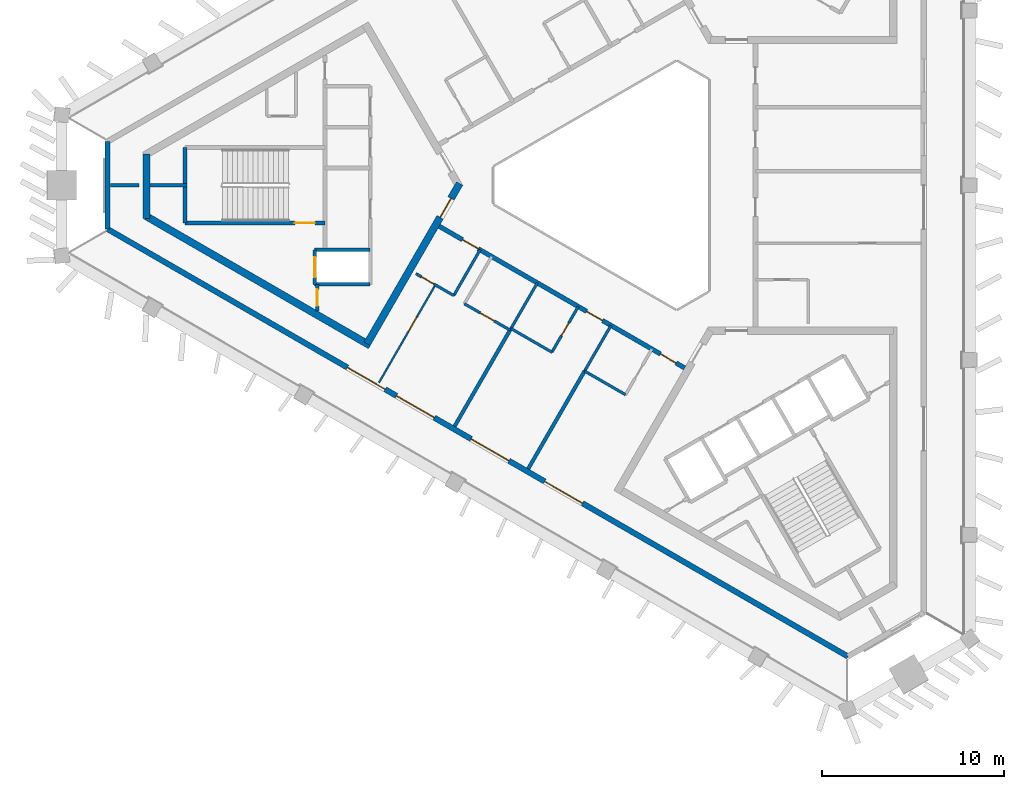
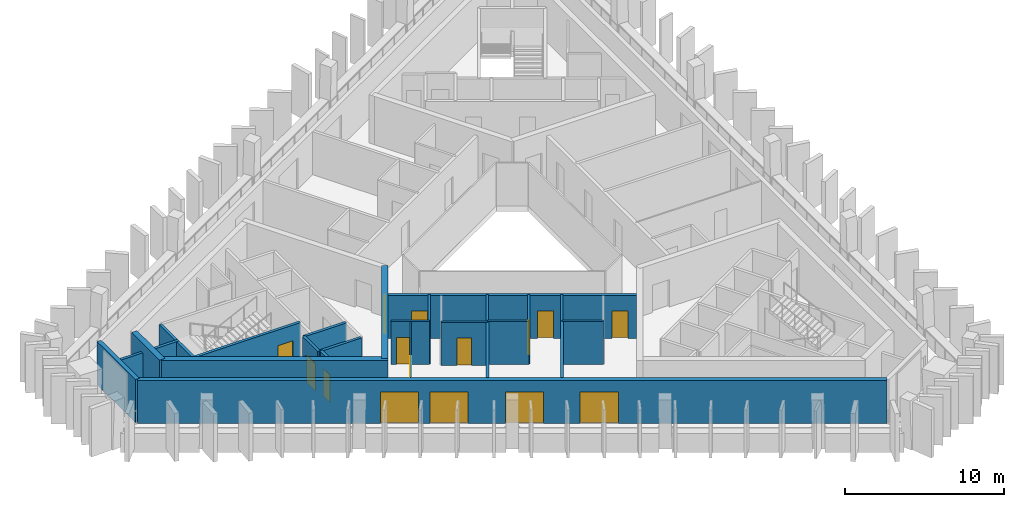
# One storey, part 2 of 10: 25 walls, 15 doors, 15 openings.
"""IFC4 building model written with IfcOpenShell, lengths in metres."""

from ifc_helpers import new_model, si_unit, direction, frame, frame_2d, origin, place, context, subcontext, project, spatial, rectangle, extrude, material, layer, layer_set, type_object, element, fill, save


model = new_model("IFC4")

# Units and contexts
model_context = context("Model", 3, precision=1e-05, world=origin(), true_north=direction((0.0, 1.0)))
body_context = subcontext(model_context, "Body", "Model", "MODEL_VIEW")
ifc_project = project(units=[si_unit("LENGTHUNIT", "METRE"), si_unit("AREAUNIT", "SQUARE_METRE"), si_unit("VOLUMEUNIT", "CUBIC_METRE"), si_unit("PLANEANGLEUNIT", "RADIAN"), si_unit("MASSUNIT", "GRAM", prefix="KILO")], contexts=[model_context])

# Site, building, storey
site_placement = place(None, origin())
site = spatial("IfcSite", under=ifc_project, at=site_placement, CompositionType="ELEMENT")
building_placement = place(site_placement, origin())
building = spatial("IfcBuilding", under=site, at=building_placement, Name="Jabali Bay Hotel Tower and Convention Centre", CompositionType="ELEMENT")
storey_placement = place(building_placement, frame((0.0, 0.0, 284.89990234375)))
storey = spatial("IfcBuildingStorey", under=building, at=storey_placement, Name="L70", CompositionType="ELEMENT", Elevation=284.89990234375)

# Wall
ifc_material_1 = material(Name="Concrete C40", Category="concrete")
ifc_layer_1 = layer(ifc_material_1, 0.199951171875)
ifc_layer_set_1 = layer_set([ifc_layer_1], Name="Concrete C40")
wall_type_1 = type_object("IfcWallType", Name="Core partition wall 200", PredefinedType="PARTITIONING", material=ifc_layer_set_1)
wall_1_placement = place(storey_placement, frame((50.820068359375, 80.0, 0.0), z_axis=(0.0, 0.0, 1.0), x_axis=(-1.0, 0.0, 0.0)))
element("IfcWall", 1, at=wall_1_placement, inside=storey, type_object=wall_type_1, Name="Core wall 0.5 L70", PredefinedType="PARTITIONING", context=body_context, shape_type="SweptSolid", body=[
    extrude(rectangle(XDim=2.023193359375, YDim=0.199951171875, at=frame_2d((1.01171875, 0.0))), origin(), (0.0, 0.0, 1.0), 3.300048828125),
])

# Wall, opening, door
wall_2_placement = place(storey_placement, frame((58.0, 74.550048828125, 0.0), z_axis=(0.0, 0.0, 1.0), x_axis=(0.0, -1.0, 0.0)))
wall_2 = element("IfcWall", 2, at=wall_2_placement, inside=storey, type_object=wall_type_1, Name="Core wall 0.11 L70", PredefinedType="PARTITIONING", context=body_context, shape_type="SweptSolid", body=[
    extrude(rectangle(XDim=1.455078125, YDim=0.199951171875, at=frame_2d((0.7275390625, 0.0))), origin(), (0.0, 0.0, 1.0), 3.300048828125),
])
opening_1_placement = place(wall_2_placement, frame((0.277587890625, 0.0, 0.0)))
opening_1 = element("IfcOpeningElement", 3, at=opening_1_placement, cuts=wall_2, Name="Opening D1544", PredefinedType="OPENING", context=body_context, shape_type="SweptSolid", body=[
    extrude(rectangle(XDim=0.89990234375, YDim=2.10009765625, at=frame_2d((0.449951171875, 1.050048828125))), frame((0.0, 0.1103515625, 0.0), z_axis=(0.0, -1.0, 0.0), x_axis=(1.0, 0.0, 0.0)), (0.0, 0.0, 1.0), 0.220947265625),
])
ifc_material_2 = material(Name="Fire-rated steel door", Category="steel")
door_type_1 = type_object("IfcDoorType", Name="Vestibule fire door 900 x 2100", OperationType="NOTDEFINED", PredefinedType="NOTDEFINED", material=ifc_material_2)
door_1_placement = place(opening_1_placement, origin())
door_1 = element("IfcDoor", 4, at=door_1_placement, inside=storey, type_object=door_type_1, Name="Vestibule fire door D1544", OperationType="SINGLE_SWING_LEFT", OverallHeight=2.10009765625, OverallWidth=0.89990234375, PredefinedType="NOTDEFINED", context=body_context, shape_type="SweptSolid", body=[
    extrude(rectangle(XDim=0.89990234375, YDim=2.10009765625, at=frame_2d((0.449951171875, 1.050048828125))), frame((0.0, 0.02490234375, 0.0), z_axis=(0.0, -1.0, 0.0), x_axis=(1.0, 0.0, 0.0)), (0.0, 0.0, 1.0), 0.050048828125),
])
fill(opening_1, door_1)

ifc_layer_2 = layer(ifc_material_1, 0.199951171875)
ifc_layer_set_2 = layer_set([ifc_layer_2], Name="Concrete C40")
wall_type_2 = type_object("IfcWallType", Name="Core stair wall 200", PredefinedType="SOLIDWALL", material=ifc_layer_set_2)
wall_3_placement = place(storey_placement, frame((58.419921875, 77.925048828125, 0.0), z_axis=(0.0, 0.0, 1.0), x_axis=(-1.0, 0.0, 0.0)))
wall_3 = element("IfcWall", 5, at=wall_3_placement, inside=storey, type_object=wall_type_2, Name="Core wall 0.6 L70", PredefinedType="SOLIDWALL", context=body_context, shape_type="SweptSolid", body=[
    extrude(rectangle(XDim=7.699951171875, YDim=0.199951171875, at=frame_2d((3.85009765625, 0.0))), origin(), (0.0, 0.0, 1.0), 3.300048828125),
])
opening_2_placement = place(wall_3_placement, frame((0.550048828125, 0.0, 0.0)))
opening_2 = element("IfcOpeningElement", 6, at=opening_2_placement, cuts=wall_3, Name="Opening D1546", PredefinedType="OPENING", context=body_context, shape_type="SweptSolid", body=[
    extrude(rectangle(XDim=1.10009765625, YDim=2.10009765625, at=frame_2d((0.550048828125, 1.050048828125))), frame((0.0, 0.1103515625, 0.0), z_axis=(0.0, -1.0, 0.0), x_axis=(1.0, 0.0, 0.0)), (0.0, 0.0, 1.0), 0.220947265625),
])
door_type_2 = type_object("IfcDoorType", Name="Stair fire door 1100 x 2100", OperationType="NOTDEFINED", PredefinedType="NOTDEFINED", material=ifc_material_2)
door_2_placement = place(opening_2_placement, origin())
door_2 = element("IfcDoor", 7, at=door_2_placement, inside=storey, type_object=door_type_2, Name="Stair fire door D1546", OperationType="SINGLE_SWING_RIGHT", OverallHeight=2.10009765625, OverallWidth=1.10009765625, PredefinedType="NOTDEFINED", context=body_context, shape_type="SweptSolid", body=[
    extrude(rectangle(XDim=1.10009765625, YDim=2.10009765625, at=frame_2d((0.550048828125, 1.050048828125))), frame((0.0, 0.02490234375, 0.0), z_axis=(0.0, -1.0, 0.0), x_axis=(1.0, 0.0, 0.0)), (0.0, 0.0, 1.0), 0.050048828125),
])
fill(opening_2, door_2)

# Walls
for number, where, z_axis, x_axis, name in (
    (8, (60.89990234375, 76.449951171875, 0.0), (0.0, 0.0, 1.0), (-1.0, 0.0, 0.0), "Core wall 0.7 L70"),
    (9, (60.89990234375, 74.550048828125, 0.0), (0.0, 0.0, 1.0), (-1.0, 0.0, 0.0), "Core wall 0.8 L70"),
):
    element("IfcWall", number, at=place(storey_placement, frame(where, z_axis=z_axis, x_axis=x_axis)), inside=storey, type_object=wall_type_2, Name=name, PredefinedType="SOLIDWALL", context=body_context, shape_type="SweptSolid", body=[
        extrude(rectangle(XDim=3.0498046875, YDim=0.199951171875, at=frame_2d((1.52490234375, 0.0))), origin(), (0.0, 0.0, 1.0), 3.300048828125),
    ])

# Wall, opening, door
wall_4_placement = place(storey_placement, frame((57.85009765625, 76.449951171875, 0.0), z_axis=(0.0, 0.0, 1.0), x_axis=(0.0, -1.0, 0.0)))
wall_4 = element("IfcWall", 10, at=wall_4_placement, inside=storey, type_object=wall_type_2, Name="Core wall 0.12 L70", PredefinedType="SOLIDWALL", context=body_context, shape_type="SweptSolid", body=[
    extrude(rectangle(XDim=1.89990234375, YDim=0.199951171875, at=frame_2d((0.949951171875, 0.0))), origin(), (0.0, 0.0, 1.0), 3.300048828125),
])
opening_3_placement = place(wall_4_placement, frame((0.39990234375, 0.0, 0.0)))
opening_3 = element("IfcOpeningElement", 11, at=opening_3_placement, cuts=wall_4, Name="Opening LD5-L70", PredefinedType="OPENING", context=body_context, shape_type="SweptSolid", body=[
    extrude(rectangle(XDim=1.10009765625, YDim=2.10009765625, at=frame_2d((0.550048828125, 1.050048828125))), frame((0.0, 0.1103515625, 0.0), z_axis=(0.0, -1.0, 0.0), x_axis=(1.0, 0.0, 0.0)), (0.0, 0.0, 1.0), 0.220947265625),
])
ifc_material_3 = material(Name="Stainless steel landing door", Category="steel")
door_type_3 = type_object("IfcDoorType", Name="Landing door 1100 x 2100", OperationType="NOTDEFINED", PredefinedType="NOTDEFINED", material=ifc_material_3)
door_3_placement = place(opening_3_placement, origin())
door_3 = element("IfcDoor", 12, at=door_3_placement, inside=storey, type_object=door_type_3, Name="Landing doors LD5-L70", OperationType="SLIDING_TO_RIGHT", OverallHeight=2.10009765625, OverallWidth=1.10009765625, PredefinedType="NOTDEFINED", context=body_context, shape_type="SweptSolid", body=[
    extrude(rectangle(XDim=1.10009765625, YDim=2.10009765625, at=frame_2d((0.550048828125, 1.050048828125))), frame((0.0, 0.02490234375, 0.0), z_axis=(0.0, -1.0, 0.0), x_axis=(1.0, 0.0, 0.0)), (0.0, 0.0, 1.0), 0.050048828125),
])
fill(opening_3, door_3)

# Walls
wall_5_placement = place(storey_placement, frame((50.719970703125, 82.074951171875, 0.0), z_axis=(0.0, 0.0, 1.0), x_axis=(0.0, -1.0, 0.0)))
element("IfcWall", 13, at=wall_5_placement, inside=storey, type_object=wall_type_2, Name="Core wall 0.15 L70", PredefinedType="SOLIDWALL", context=body_context, shape_type="SweptSolid", body=[
    extrude(rectangle(XDim=4.14990234375, YDim=0.199951171875, at=frame_2d((2.074951171875, 0.0))), origin(), (0.0, 0.0, 1.0), 3.300048828125),
])
ifc_material_4 = material(Name="Concrete C60", Category="concrete")
ifc_layer_3 = layer(ifc_material_4, 0.39990234375)
ifc_layer_set_3 = layer_set([ifc_layer_3], Name="Concrete C60")
wall_type_3 = type_object("IfcWallType", Name="Core wall 400", PredefinedType="SHEAR", material=ifc_layer_set_3)
wall_6_placement = place(storey_placement, frame((48.596923828125, 81.707275390625, 0.0), z_axis=(0.0, 0.0, 1.0), x_axis=(0.0, -1.0, 0.0)))
element("IfcWall", 14, at=wall_6_placement, inside=storey, type_object=wall_type_3, Name="Core wall 1.3 L70", PredefinedType="SHEAR", context=body_context, shape_type="SweptSolid", body=[
    extrude(rectangle(XDim=3.530029296875, YDim=0.39990234375, at=frame_2d((1.76513671875, 0.0))), origin(), (0.0, 0.0, 1.0), 3.7001953125),
])
wall_7_placement = place(storey_placement, frame((48.596923828125, 78.292724609375, 0.0), z_axis=(0.0, 0.0, 1.0), x_axis=(0.866026024469, -0.499998924941, 0.0)))
element("IfcWall", 15, at=wall_7_placement, inside=storey, type_object=wall_type_3, Name="Core wall 1.4 L70", PredefinedType="SHEAR", context=body_context, shape_type="SweptSolid", body=[
    extrude(rectangle(XDim=14.2177734375, YDim=0.39990234375, at=frame_2d((7.10888671875, 0.0))), origin(), (0.0, 0.0, 1.0), 3.7001953125),
])

# Wall, opening, door
wall_8_placement = place(storey_placement, frame((60.73681640625, 71.283935546875, 0.0), z_axis=(0.0, 0.0, 1.0), x_axis=(0.50000547566, 0.866022242388, 0.0)))
wall_8 = element("IfcWall", 16, at=wall_8_placement, inside=storey, type_object=wall_type_3, Name="Core wall 1.5 L70", PredefinedType="SHEAR", context=body_context, shape_type="SweptSolid", body=[
    extrude(rectangle(XDim=10.18017578125, YDim=0.39990234375, at=frame_2d((5.090087890625, 0.0))), origin(), (0.0, 0.0, 1.0), 3.7001953125),
])
opening_4_placement = place(wall_8_placement, frame((8.030029296875, 0.0, 0.0)))
opening_4 = element("IfcOpeningElement", 17, at=opening_4_placement, cuts=wall_8, Name="Opening D1540", PredefinedType="OPENING", context=body_context, shape_type="SweptSolid", body=[
    extrude(rectangle(XDim=1.199951171875, YDim=2.10009765625, at=frame_2d((0.60009765625, 1.050048828125))), frame((0.0, 0.21044921875, 0.0), z_axis=(0.0, -1.0, 0.0), x_axis=(1.0, 0.0, 0.0)), (0.0, 0.0, 1.0), 0.4208984375),
])
door_type_4 = type_object("IfcDoorType", Name="Corridor end fire door 1200 x 2100", OperationType="NOTDEFINED", PredefinedType="NOTDEFINED", material=ifc_material_2)
door_4_placement = place(opening_4_placement, origin())
door_4 = element("IfcDoor", 18, at=door_4_placement, inside=storey, type_object=door_type_4, Name="Corridor end fire door D1540", OperationType="SINGLE_SWING_LEFT", OverallHeight=2.10009765625, OverallWidth=1.199951171875, PredefinedType="NOTDEFINED", context=body_context, shape_type="SweptSolid", body=[
    extrude(rectangle(XDim=1.199951171875, YDim=2.10009765625, at=frame_2d((0.60009765625, 1.050048828125))), frame((0.0, 0.02490234375, 0.0), z_axis=(0.0, -1.0, 0.0), x_axis=(1.0, 0.0, 0.0)), (0.0, 0.0, 1.0), 0.050048828125),
])
fill(opening_4, door_4)

# Wall, openings, doors
ifc_layer_4 = layer(ifc_material_4, 0.25)
ifc_layer_set_4 = layer_set([ifc_layer_4], Name="Concrete C60")
wall_type_4 = type_object("IfcWallType", Name="Corridor wall 250", PredefinedType="SHEAR", material=ifc_layer_set_4)
wall_9_placement = place(storey_placement, frame((64.699951171875, 77.748291015625, 0.0), z_axis=(0.0, 0.0, 1.0), x_axis=(0.866026492143, -0.499998114903, 0.0)))
wall_9 = element("IfcWall", 19, at=wall_9_placement, inside=storey, type_object=wall_type_4, Name="Corridor wall 3 L70", PredefinedType="SHEAR", context=body_context, shape_type="SweptSolid", body=[
    extrude(rectangle(XDim=15.58837890625, YDim=0.25, at=frame_2d((7.794189453125, 0.0))), origin(), (0.0, 0.0, 1.0), 3.300048828125),
])
opening_5_placement = place(wall_9_placement, frame((1.485107421875, 0.0, 0.0)))
opening_5 = element("IfcOpeningElement", 20, at=opening_5_placement, cuts=wall_9, Name="Opening 7015", PredefinedType="OPENING", context=body_context, shape_type="SweptSolid", body=[
    extrude(rectangle(XDim=1.0, YDim=2.10009765625, at=frame_2d((0.5, 1.050048828125))), frame((0.0, 0.135498046875, 0.0), z_axis=(0.0, -1.0, 0.0), x_axis=(1.0, 0.0, 0.0)), (0.0, 0.0, 1.0), 0.27099609375),
])
opening_6_placement = place(wall_9_placement, frame((9.373779296875, 0.0, 0.0)))
opening_6 = element("IfcOpeningElement", 21, at=opening_6_placement, cuts=wall_9, Name="Opening 7017", PredefinedType="OPENING", context=body_context, shape_type="SweptSolid", body=[
    extrude(rectangle(XDim=1.0, YDim=2.10009765625, at=frame_2d((0.5, 1.050048828125))), frame((0.0, 0.135498046875, 0.0), z_axis=(0.0, -1.0, 0.0), x_axis=(1.0, 0.0, 0.0)), (0.0, 0.0, 1.0), 0.27099609375),
])
opening_7_placement = place(wall_9_placement, frame((14.05029296875, 0.0, 0.0)))
opening_7 = element("IfcOpeningElement", 22, at=opening_7_placement, cuts=wall_9, Name="Opening 7019", PredefinedType="OPENING", context=body_context, shape_type="SweptSolid", body=[
    extrude(rectangle(XDim=1.0, YDim=2.10009765625, at=frame_2d((0.5, 1.050048828125))), frame((0.0, 0.135498046875, 0.0), z_axis=(0.0, -1.0, 0.0), x_axis=(1.0, 0.0, 0.0)), (0.0, 0.0, 1.0), 0.27099609375),
])
ifc_material_5 = material(Name="Timber", Category="wood")
door_type_5 = type_object("IfcDoorType", Name="Guest room door 1000 x 2100", OperationType="NOTDEFINED", PredefinedType="NOTDEFINED", material=ifc_material_5)
door_5_placement = place(opening_5_placement, origin())
door_5 = element("IfcDoor", 23, at=door_5_placement, inside=storey, type_object=door_type_5, Name="Door 7015", OperationType="SINGLE_SWING_LEFT", OverallHeight=2.10009765625, OverallWidth=1.0, PredefinedType="NOTDEFINED", context=body_context, shape_type="SweptSolid", body=[
    extrude(rectangle(XDim=1.0, YDim=2.10009765625, at=frame_2d((0.5, 1.050048828125))), frame((0.0, 0.02490234375, 0.0), z_axis=(0.0, -1.0, 0.0), x_axis=(1.0, 0.0, 0.0)), (0.0, 0.0, 1.0), 0.050048828125),
])
fill(opening_5, door_5)
door_6_placement = place(opening_6_placement, origin())
door_6 = element("IfcDoor", 24, at=door_6_placement, inside=storey, type_object=door_type_5, Name="Door 7017", OperationType="SINGLE_SWING_RIGHT", OverallHeight=2.10009765625, OverallWidth=1.0, PredefinedType="NOTDEFINED", context=body_context, shape_type="SweptSolid", body=[
    extrude(rectangle(XDim=1.0, YDim=2.10009765625, at=frame_2d((0.5, 1.050048828125))), frame((0.0, 0.02490234375, 0.0), z_axis=(0.0, -1.0, 0.0), x_axis=(1.0, 0.0, 0.0)), (0.0, 0.0, 1.0), 0.050048828125),
])
fill(opening_6, door_6)
door_7_placement = place(opening_7_placement, origin())
door_7 = element("IfcDoor", 25, at=door_7_placement, inside=storey, type_object=door_type_5, Name="Door 7019", OperationType="SINGLE_SWING_RIGHT", OverallHeight=2.10009765625, OverallWidth=1.0, PredefinedType="NOTDEFINED", context=body_context, shape_type="SweptSolid", body=[
    extrude(rectangle(XDim=1.0, YDim=2.10009765625, at=frame_2d((0.5, 1.050048828125))), frame((0.0, 0.02490234375, 0.0), z_axis=(0.0, -1.0, 0.0), x_axis=(1.0, 0.0, 0.0)), (0.0, 0.0, 1.0), 0.050048828125),
])
fill(opening_7, door_7)

# Wall
ifc_layer_5 = layer(ifc_material_1, 0.300048828125)
ifc_layer_set_5 = layer_set([ifc_layer_5], Name="Concrete C40")
wall_type_5 = type_object("IfcWallType", Name="External wall 300", PredefinedType="SOLIDWALL", material=ifc_layer_set_5)
wall_10_placement = place(storey_placement, frame((46.45849609375, 77.5947265625, 0.0), z_axis=(0.0, 0.0, 1.0), x_axis=(0.0, 1.0, 0.0)))
element("IfcWall", 26, at=wall_10_placement, inside=storey, type_object=wall_type_5, Name="External wall west chamfer L70", PredefinedType="SOLIDWALL", context=body_context, shape_type="SweptSolid", body=[
    extrude(rectangle(XDim=4.810546875, YDim=0.300048828125, at=frame_2d((2.4052734375, 0.0))), origin(), (0.0, 0.0, 1.0), 3.300048828125),
])

# Wall, openings, doors
wall_11_placement = place(storey_placement, frame((87.187744140625, 54.07958984375, 0.0), z_axis=(0.0, 0.0, 1.0), x_axis=(-0.866024534676, 0.500001505337, 0.0)))
wall_11 = element("IfcWall", 27, at=wall_11_placement, inside=storey, type_object=wall_type_5, Name="External wall south-west face L70", PredefinedType="SOLIDWALL", context=body_context, shape_type="SweptSolid", body=[
    extrude(rectangle(XDim=47.030029296875, YDim=0.300048828125, at=frame_2d((23.51513671875, 0.0))), origin(), (0.0, 0.0, 1.0), 3.300048828125),
])
opening_8_placement = place(wall_11_placement, frame((29.392333984375, 0.0, 0.0)))
opening_8 = element("IfcOpeningElement", 28, at=opening_8_placement, cuts=wall_11, Name="Opening SD1", PredefinedType="OPENING", context=body_context, shape_type="SweptSolid", body=[
    extrude(rectangle(XDim=2.39990234375, YDim=2.39990234375, at=frame_2d((1.199951171875, 1.199951171875))), frame((0.0, 0.16064453125, 0.0), z_axis=(0.0, -1.0, 0.0), x_axis=(1.0, 0.0, 0.0)), (0.0, 0.0, 1.0), 0.321044921875),
])
opening_9_placement = place(wall_11_placement, frame((26.2744140625, 0.0, 0.0)))
opening_9 = element("IfcOpeningElement", 29, at=opening_9_placement, cuts=wall_11, Name="Opening SD1", PredefinedType="OPENING", context=body_context, shape_type="SweptSolid", body=[
    extrude(rectangle(XDim=2.39990234375, YDim=2.39990234375, at=frame_2d((1.199951171875, 1.199951171875))), frame((0.0, 0.16064453125, 0.0), z_axis=(0.0, -1.0, 0.0), x_axis=(1.0, 0.0, 0.0)), (0.0, 0.0, 1.0), 0.321044921875),
])
opening_10_placement = place(wall_11_placement, frame((16.859130859375, 0.0, 0.0)))
opening_10 = element("IfcOpeningElement", 30, at=opening_10_placement, cuts=wall_11, Name="Opening SD1", PredefinedType="OPENING", context=body_context, shape_type="SweptSolid", body=[
    extrude(rectangle(XDim=2.39990234375, YDim=2.39990234375, at=frame_2d((1.199951171875, 1.199951171875))), frame((0.0, 0.16064453125, 0.0), z_axis=(0.0, -1.0, 0.0), x_axis=(1.0, 0.0, 0.0)), (0.0, 0.0, 1.0), 0.321044921875),
])
opening_11_placement = place(wall_11_placement, frame((21.53564453125, 0.0, 0.0)))
opening_11 = element("IfcOpeningElement", 31, at=opening_11_placement, cuts=wall_11, Name="Opening SD1", PredefinedType="OPENING", context=body_context, shape_type="SweptSolid", body=[
    extrude(rectangle(XDim=2.39990234375, YDim=2.39990234375, at=frame_2d((1.199951171875, 1.199951171875))), frame((0.0, 0.16064453125, 0.0), z_axis=(0.0, -1.0, 0.0), x_axis=(1.0, 0.0, 0.0)), (0.0, 0.0, 1.0), 0.321044921875),
])
ifc_material_6 = material(Name="Glass", Category="glass")
door_type_6 = type_object("IfcDoorType", Name="Loggia sliding door 2400 x 2400", OperationType="NOTDEFINED", PredefinedType="NOTDEFINED", material=ifc_material_6)
door_8_placement = place(opening_8_placement, origin())
door_8 = element("IfcDoor", 32, at=door_8_placement, inside=storey, type_object=door_type_6, Name="Loggia sliding door 7007", OperationType="SLIDING_TO_LEFT", OverallHeight=2.39990234375, OverallWidth=2.39990234375, PredefinedType="NOTDEFINED", context=body_context, shape_type="SweptSolid", body=[
    extrude(rectangle(XDim=2.39990234375, YDim=2.39990234375, at=frame_2d((1.199951171875, 1.199951171875))), frame((0.0, 0.02490234375, 0.0), z_axis=(0.0, -1.0, 0.0), x_axis=(1.0, 0.0, 0.0)), (0.0, 0.0, 1.0), 0.050048828125),
])
fill(opening_8, door_8)
door_9_placement = place(opening_9_placement, origin())
door_9 = element("IfcDoor", 33, at=door_9_placement, inside=storey, type_object=door_type_6, Name="Loggia sliding door 7007", OperationType="SLIDING_TO_RIGHT", OverallHeight=2.39990234375, OverallWidth=2.39990234375, PredefinedType="NOTDEFINED", context=body_context, shape_type="SweptSolid", body=[
    extrude(rectangle(XDim=2.39990234375, YDim=2.39990234375, at=frame_2d((1.199951171875, 1.199951171875))), frame((0.0, 0.02490234375, 0.0), z_axis=(0.0, -1.0, 0.0), x_axis=(1.0, 0.0, 0.0)), (0.0, 0.0, 1.0), 0.050048828125),
])
fill(opening_9, door_9)
door_10_placement = place(opening_10_placement, origin())
door_10 = element("IfcDoor", 34, at=door_10_placement, inside=storey, type_object=door_type_6, Name="Loggia sliding door 7009", OperationType="SLIDING_TO_LEFT", OverallHeight=2.39990234375, OverallWidth=2.39990234375, PredefinedType="NOTDEFINED", context=body_context, shape_type="SweptSolid", body=[
    extrude(rectangle(XDim=2.39990234375, YDim=2.39990234375, at=frame_2d((1.199951171875, 1.199951171875))), frame((0.0, 0.02490234375, 0.0), z_axis=(0.0, -1.0, 0.0), x_axis=(1.0, 0.0, 0.0)), (0.0, 0.0, 1.0), 0.050048828125),
])
fill(opening_10, door_10)
door_11_placement = place(opening_11_placement, origin())
door_11 = element("IfcDoor", 35, at=door_11_placement, inside=storey, type_object=door_type_6, Name="Loggia sliding door 7008", OperationType="SLIDING_TO_RIGHT", OverallHeight=2.39990234375, OverallWidth=2.39990234375, PredefinedType="NOTDEFINED", context=body_context, shape_type="SweptSolid", body=[
    extrude(rectangle(XDim=2.39990234375, YDim=2.39990234375, at=frame_2d((1.199951171875, 1.199951171875))), frame((0.0, 0.02490234375, 0.0), z_axis=(0.0, -1.0, 0.0), x_axis=(1.0, 0.0, 0.0)), (0.0, 0.0, 1.0), 0.050048828125),
])
fill(opening_11, door_11)

# Wall, opening, door
ifc_material_7 = material(Name="Plasterboard on steel stud", Category="steel")
ifc_layer_6 = layer(ifc_material_7, 0.10009765625)
ifc_layer_set_6 = layer_set([ifc_layer_6], Name="Plasterboard on steel stud")
wall_type_6 = type_object("IfcWallType", Name="Partition 100 unit", PredefinedType="PARTITIONING", material=ifc_layer_set_6)
wall_12_placement = place(storey_placement, frame((61.3896484375, 69.146240234375, 0.0), z_axis=(0.0, 0.0, 1.0), x_axis=(0.499986136558, 0.866033407698, 0.0)))
wall_12 = element("IfcWall", 36, at=wall_12_placement, inside=storey, type_object=wall_type_6, Name="Partition P02 L70 017", PredefinedType="PARTITIONING", context=body_context, shape_type="SweptSolid", body=[
    extrude(rectangle(XDim=6.224853515625, YDim=0.10009765625, at=frame_2d((3.1123046875, 0.0))), origin(), (0.0, 0.0, 1.0), 3.300048828125),
])
opening_12_placement = place(wall_12_placement, frame((3.2548828125, 0.0, 0.0)))
opening_12 = element("IfcOpeningElement", 37, at=opening_12_placement, cuts=wall_12, Name="Opening 7014", PredefinedType="OPENING", context=body_context, shape_type="SweptSolid", body=[
    extrude(rectangle(XDim=0.89990234375, YDim=2.10009765625, at=frame_2d((0.449951171875, 1.050048828125))), frame((0.0, 0.060546875, 0.0), z_axis=(0.0, -1.0, 0.0), x_axis=(1.0, 0.0, 0.0)), (0.0, 0.0, 1.0), 0.12109375),
])
door_type_7 = type_object("IfcDoorType", Name="Internal door 900 x 2100", OperationType="NOTDEFINED", PredefinedType="NOTDEFINED", material=ifc_material_5)
door_12_placement = place(opening_12_placement, origin())
door_12 = element("IfcDoor", 38, at=door_12_placement, inside=storey, type_object=door_type_7, Name="Door 7014", OperationType="SINGLE_SWING_LEFT", OverallHeight=2.10009765625, OverallWidth=0.89990234375, PredefinedType="NOTDEFINED", context=body_context, shape_type="SweptSolid", body=[
    extrude(rectangle(XDim=0.89990234375, YDim=2.10009765625, at=frame_2d((0.449951171875, 1.050048828125))), frame((0.0, 0.02490234375, 0.0), z_axis=(0.0, -1.0, 0.0), x_axis=(1.0, 0.0, 0.0)), (0.0, 0.0, 1.0), 0.050048828125),
])
fill(opening_12, door_12)

ifc_layer_7 = layer(ifc_material_7, 0.14990234375)
ifc_layer_set_7 = layer_set([ifc_layer_7], Name="Plasterboard on steel stud")
wall_type_7 = type_object("IfcWallType", Name="Partition 150 wet", PredefinedType="PARTITIONING", material=ifc_layer_set_7)
wall_13_placement = place(storey_placement, frame((65.501708984375, 73.936767578125, 0.0), z_axis=(0.0, 0.0, 1.0), x_axis=(-0.865994240961, 0.500053971709, 0.0)))
wall_13 = element("IfcWall", 39, at=wall_13_placement, inside=storey, type_object=wall_type_7, Name="Partition P03 L70 018", PredefinedType="PARTITIONING", context=body_context, shape_type="SweptSolid", body=[
    extrude(rectangle(XDim=2.401123046875, YDim=0.14990234375, at=frame_2d((1.20068359375, 0.0))), origin(), (0.0, 0.0, 1.0), 3.300048828125),
])
opening_13_placement = place(wall_13_placement, frame((1.2509765625, 0.0, 0.0)))
opening_13 = element("IfcOpeningElement", 40, at=opening_13_placement, cuts=wall_13, Name="Opening 7012", PredefinedType="OPENING", context=body_context, shape_type="SweptSolid", body=[
    extrude(rectangle(XDim=0.800048828125, YDim=2.10009765625, at=frame_2d((0.39990234375, 1.050048828125))), frame((0.0, 0.08544921875, 0.0), z_axis=(0.0, -1.0, 0.0), x_axis=(1.0, 0.0, 0.0)), (0.0, 0.0, 1.0), 0.1708984375),
])
door_type_8 = type_object("IfcDoorType", Name="En-suite door 800 x 2100", OperationType="NOTDEFINED", PredefinedType="NOTDEFINED", material=ifc_material_5)
door_13_placement = place(opening_13_placement, origin())
door_13 = element("IfcDoor", 41, at=door_13_placement, inside=storey, type_object=door_type_8, Name="Door 7012", OperationType="SINGLE_SWING_LEFT", OverallHeight=2.10009765625, OverallWidth=0.800048828125, PredefinedType="NOTDEFINED", context=body_context, shape_type="SweptSolid", body=[
    extrude(rectangle(XDim=0.800048828125, YDim=2.10009765625, at=frame_2d((0.39990234375, 1.050048828125))), frame((0.0, 0.02490234375, 0.0), z_axis=(0.0, -1.0, 0.0), x_axis=(1.0, 0.0, 0.0)), (0.0, 0.0, 1.0), 0.050048828125),
])
fill(opening_13, door_13)

# Walls
wall_14_placement = place(storey_placement, frame((66.95166015625, 76.4482421875, 0.0), z_axis=(0.0, 0.0, 1.0), x_axis=(-0.499987231761, -0.866032775405, 0.0)))
element("IfcWall", 42, at=wall_14_placement, inside=storey, type_object=wall_type_7, Name="Partition P03 L70 019", PredefinedType="PARTITIONING", context=body_context, shape_type="SweptSolid", body=[
    extrude(rectangle(XDim=2.89990234375, YDim=0.14990234375, at=frame_2d((1.449951171875, 0.0))), origin(), (0.0, 0.0, 1.0), 3.300048828125),
])
wall_15_placement = place(storey_placement, frame((70.10009765625, 74.630615234375, 0.0), z_axis=(0.0, 0.0, 1.0), x_axis=(-0.499990139034, -0.866031096941, 0.0)))
element("IfcWall", 43, at=wall_15_placement, inside=storey, type_object=wall_type_7, Name="Partition P03 L70 020", PredefinedType="PARTITIONING", context=body_context, shape_type="SweptSolid", body=[
    extrude(rectangle(XDim=3.0, YDim=0.14990234375, at=frame_2d((1.5, 0.0))), origin(), (0.0, 0.0, 1.0), 3.300048828125),
])

# Wall, opening, door
wall_16_placement = place(storey_placement, frame((68.60009765625, 72.032470703125, 0.0), z_axis=(0.0, 0.0, 1.0), x_axis=(-0.865996321171, 0.50005036918, 0.0)))
wall_16 = element("IfcWall", 44, at=wall_16_placement, inside=storey, type_object=wall_type_7, Name="Partition P03 L70 021", PredefinedType="PARTITIONING", context=body_context, shape_type="SweptSolid", body=[
    extrude(rectangle(XDim=2.900146484375, YDim=0.14990234375, at=frame_2d((1.4501953125, 0.0))), origin(), (0.0, 0.0, 1.0), 3.300048828125),
])
opening_14_placement = place(wall_16_placement, frame((1.0, 0.0, 0.0)))
opening_14 = element("IfcOpeningElement", 45, at=opening_14_placement, cuts=wall_16, Name="Opening 7013", PredefinedType="OPENING", context=body_context, shape_type="SweptSolid", body=[
    extrude(rectangle(XDim=0.89990234375, YDim=2.10009765625, at=frame_2d((0.449951171875, 1.050048828125))), frame((0.0, 0.08544921875, 0.0), z_axis=(0.0, -1.0, 0.0), x_axis=(1.0, 0.0, 0.0)), (0.0, 0.0, 1.0), 0.1708984375),
])
door_14_placement = place(opening_14_placement, origin())
door_14 = element("IfcDoor", 46, at=door_14_placement, inside=storey, type_object=door_type_7, Name="Door 7013", OperationType="SINGLE_SWING_LEFT", OverallHeight=2.10009765625, OverallWidth=0.89990234375, PredefinedType="NOTDEFINED", context=body_context, shape_type="SweptSolid", body=[
    extrude(rectangle(XDim=0.89990234375, YDim=2.10009765625, at=frame_2d((0.449951171875, 1.050048828125))), frame((0.0, 0.02490234375, 0.0), z_axis=(0.0, -1.0, 0.0), x_axis=(1.0, 0.0, 0.0)), (0.0, 0.0, 1.0), 0.050048828125),
])
fill(opening_14, door_14)

wall_17_placement = place(storey_placement, frame((72.3515625, 73.33056640625, 0.0), z_axis=(0.0, 0.0, 1.0), x_axis=(-0.499987231761, -0.866032775405, 0.0)))
wall_17 = element("IfcWall", 47, at=wall_17_placement, inside=storey, type_object=wall_type_7, Name="Partition P03 L70 024", PredefinedType="PARTITIONING", context=body_context, shape_type="SweptSolid", body=[
    extrude(rectangle(XDim=2.89990234375, YDim=0.14990234375, at=frame_2d((1.449951171875, 0.0))), origin(), (0.0, 0.0, 1.0), 3.300048828125),
])
opening_15_placement = place(wall_17_placement, frame((1.050048828125, 0.0, 0.0)))
opening_15 = element("IfcOpeningElement", 48, at=opening_15_placement, cuts=wall_17, Name="Opening 7016", PredefinedType="OPENING", context=body_context, shape_type="SweptSolid", body=[
    extrude(rectangle(XDim=0.800048828125, YDim=2.10009765625, at=frame_2d((0.39990234375, 1.050048828125))), frame((0.0, 0.08544921875, 0.0), z_axis=(0.0, -1.0, 0.0), x_axis=(1.0, 0.0, 0.0)), (0.0, 0.0, 1.0), 0.1708984375),
])
door_15_placement = place(opening_15_placement, origin())
door_15 = element("IfcDoor", 49, at=door_15_placement, inside=storey, type_object=door_type_8, Name="Door 7016", OperationType="SINGLE_SWING_RIGHT", OverallHeight=2.10009765625, OverallWidth=0.800048828125, PredefinedType="NOTDEFINED", context=body_context, shape_type="SweptSolid", body=[
    extrude(rectangle(XDim=0.800048828125, YDim=2.10009765625, at=frame_2d((0.39990234375, 1.050048828125))), frame((0.0, 0.02490234375, 0.0), z_axis=(0.0, -1.0, 0.0), x_axis=(1.0, 0.0, 0.0)), (0.0, 0.0, 1.0), 0.050048828125),
])
fill(opening_15, door_15)

# Walls
wall_18_placement = place(storey_placement, frame((70.901611328125, 70.819091796875, 0.0), z_axis=(0.0, 0.0, 1.0), x_axis=(-0.866021400173, 0.500006934395, 0.0)))
element("IfcWall", 50, at=wall_18_placement, inside=storey, type_object=wall_type_7, Name="Partition P03 L70 025", PredefinedType="PARTITIONING", context=body_context, shape_type="SweptSolid", body=[
    extrude(rectangle(XDim=2.60009765625, YDim=0.14990234375, at=frame_2d((1.300048828125, 0.0))), origin(), (0.0, 0.0, 1.0), 3.300048828125),
])
wall_19_placement = place(storey_placement, frame((72.699951171875, 69.781005859375, 0.0), z_axis=(0.0, 0.0, 1.0), x_axis=(0.499987231761, 0.866032775405, 0.0)))
element("IfcWall", 51, at=wall_19_placement, inside=storey, type_object=wall_type_7, Name="Partition P03 L70 027", PredefinedType="PARTITIONING", context=body_context, shape_type="SweptSolid", body=[
    extrude(rectangle(XDim=2.89990234375, YDim=0.14990234375, at=frame_2d((1.449951171875, 0.0))), origin(), (0.0, 0.0, 1.0), 3.300048828125),
])
wall_20_placement = place(storey_placement, frame((74.95166015625, 68.48095703125, 0.0), z_axis=(0.0, 0.0, 1.0), x_axis=(-0.866021400173, 0.500006934395, 0.0)))
element("IfcWall", 52, at=wall_20_placement, inside=storey, type_object=wall_type_7, Name="Partition P03 L70 029", PredefinedType="PARTITIONING", context=body_context, shape_type="SweptSolid", body=[
    extrude(rectangle(XDim=2.60009765625, YDim=0.14990234375, at=frame_2d((1.300048828125, 0.0))), origin(), (0.0, 0.0, 1.0), 3.300048828125),
])
ifc_layer_8 = layer(ifc_material_7, 0.199951171875)
ifc_layer_set_8 = layer_set([ifc_layer_8], Name="Plasterboard on steel stud")
wall_type_8 = type_object("IfcWallType", Name="Partition 200 party", PredefinedType="PARTITIONING", material=ifc_layer_set_8)
wall_21_placement = place(storey_placement, frame((46.62841796875, 80.0009765625, 0.0), z_axis=(0.0, 0.0, 1.0), x_axis=(1.0, 0.0, 0.0)))
element("IfcWall", 53, at=wall_21_placement, inside=storey, type_object=wall_type_8, Name="Partition P01 L70 016", PredefinedType="PARTITIONING", context=body_context, shape_type="SweptSolid", body=[
    extrude(rectangle(XDim=1.548583984375, YDim=0.199951171875, at=frame_2d((0.7744140625, 0.0))), origin(), (0.0, 0.0, 1.0), 3.300048828125),
])
for number, where, z_axis, x_axis, name in (
    (54, (65.547607421875, 66.74560546875, 0.0), (0.0, 0.0, 1.0), (0.499985851886, 0.866033572048, 0.0), "Partition P01 L70 023"),
    (55, (69.59765625, 64.407470703125, 0.0), (0.0, 0.0, 1.0), (0.499985851886, 0.866033572048, 0.0), "Partition P01 L70 026"),
):
    element("IfcWall", number, at=place(storey_placement, frame(where, z_axis=z_axis, x_axis=x_axis)), inside=storey, type_object=wall_type_8, Name=name, PredefinedType="PARTITIONING", context=body_context, shape_type="SweptSolid", body=[
        extrude(rectangle(XDim=6.204833984375, YDim=0.199951171875, at=frame_2d((3.1025390625, 0.0))), origin(), (0.0, 0.0, 1.0), 3.300048828125),
    ])

save(model, "model.ifc")
